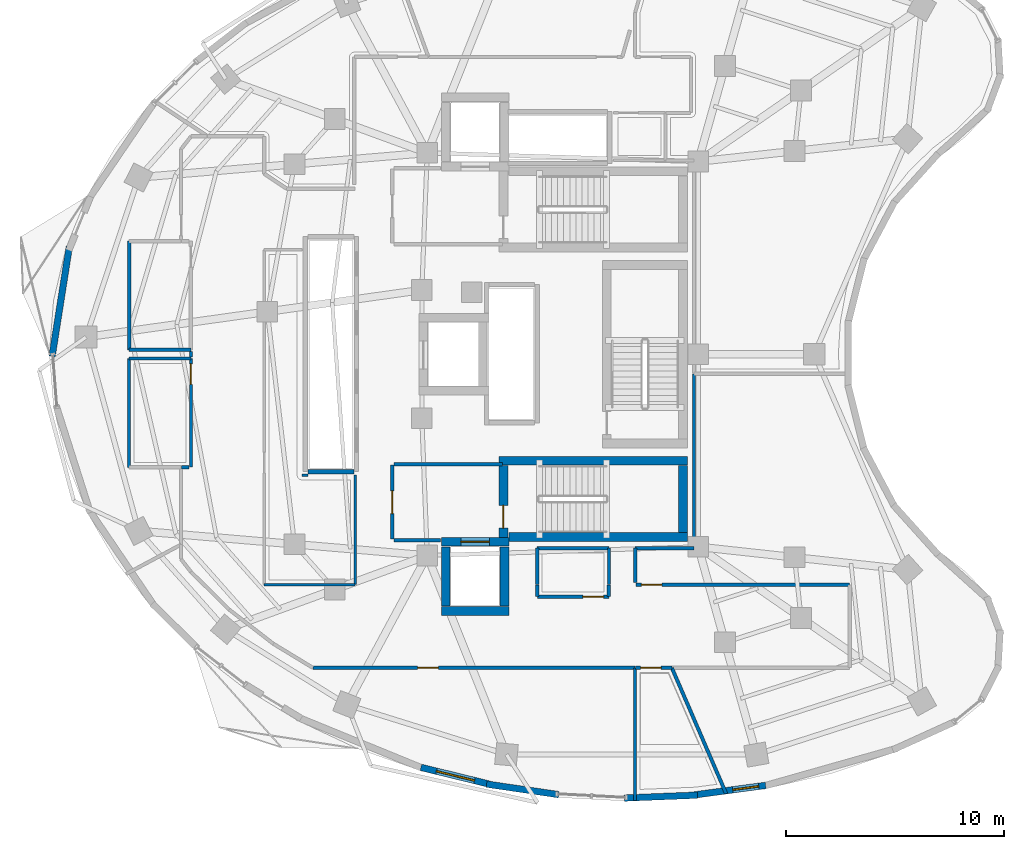
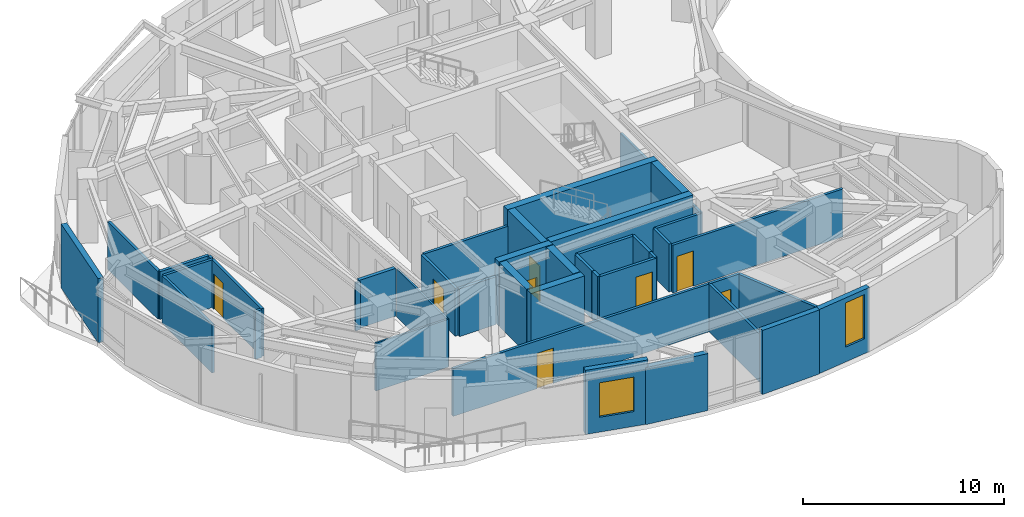
# One storey, part 7 of 13: 41 walls, 8 doors, 2 windows, 10 openings.
"""IFC4 building model written with IfcOpenShell, lengths in metres."""

from ifc_helpers import new_model, si_unit, direction, frame, frame_2d, origin, place, context, subcontext, project, spatial, rectangle, extrude, material, layer, layer_set, type_object, element, fill, save


model = new_model("IFC4")

# Units and contexts
model_context = context("Model", 3, precision=1e-05, world=origin(), true_north=direction((0.0, 1.0)))
body_context = subcontext(model_context, "Body", "Model", "MODEL_VIEW")
ifc_project = project(units=[si_unit("LENGTHUNIT", "METRE"), si_unit("AREAUNIT", "SQUARE_METRE"), si_unit("VOLUMEUNIT", "CUBIC_METRE"), si_unit("PLANEANGLEUNIT", "RADIAN"), si_unit("MASSUNIT", "GRAM", prefix="KILO")], contexts=[model_context])

# Site, building, storey
site_placement = place(None, origin())
site = spatial("IfcSite", under=ifc_project, at=site_placement, CompositionType="ELEMENT")
building_placement = place(site_placement, origin())
building = spatial("IfcBuilding", under=site, at=building_placement, Name="Korentha Bioscience Tower", CompositionType="ELEMENT")
storey_placement = place(building_placement, frame((0.0, 0.0, 171.0)))
storey = spatial("IfcBuildingStorey", under=building, at=storey_placement, Name="L39", CompositionType="ELEMENT", Elevation=171.0)

# Wall, opening, door
ifc_material_1 = material(Name="Double-Stud Acoustic Gypsum", Category="gypsum")
ifc_layer_1 = layer(ifc_material_1, 0.14990234375, Name="Double-Stud Acoustic Gypsum")
ifc_layer_set_1 = layer_set([ifc_layer_1], Name="Double-Stud Acoustic Gypsum (IW-L150)")
wall_type_1 = type_object("IfcWallType", Name="Acoustic Laboratory Partition Wall 150", PredefinedType="PARTITIONING", material=ifc_layer_set_1)
wall_1_placement = place(storey_placement, frame((14.239990234375, 26.800048828125, 0.0), z_axis=(0.0, 0.0, 1.0), x_axis=(0.0, -1.0, 0.0)))
wall_1 = element("IfcWall", 1, at=wall_1_placement, inside=storey, type_object=wall_type_1, Name="L39 Reclaimed Bank-1 Cold Freezer Alcove Entrance Wall", PredefinedType="PARTITIONING", context=body_context, shape_type="SweptSolid", body=[
    extrude(rectangle(XDim=4.989990234375, YDim=0.14990234375, at=frame_2d((2.4951171875, 0.0))), origin(), (0.0, 0.0, 1.0), 2.909912109375),
])
opening_1_placement = place(wall_1_placement, frame((0.239990234375, 0.0, 0.0)))
opening_1 = element("IfcOpeningElement", 2, at=opening_1_placement, cuts=wall_1, Name="Opening ID-10R", PredefinedType="OPENING", context=body_context, shape_type="SweptSolid", body=[
    extrude(rectangle(XDim=0.949951171875, YDim=2.14990234375, at=frame_2d((0.47509765625, 1.074951171875))), frame((0.0, 0.08984375, 0.0), z_axis=(0.0, -1.0, 0.0), x_axis=(1.0, 0.0, 0.0)), (0.0, 0.0, 1.0), 0.1796875),
])
ifc_material_2 = material(Name="Phenolic Laminate Timber Core", Category="wood")
door_type_1 = type_object("IfcDoorType", Name="Laboratory Single Leaf Door 950x2150 Right", OperationType="SINGLE_SWING_RIGHT", PredefinedType="DOOR", material=ifc_material_2)
door_1_placement = place(opening_1_placement, origin())
door_1 = element("IfcDoor", 3, at=door_1_placement, inside=storey, type_object=door_type_1, Name="L39 Reclaimed Bank-1 Cold Freezer Alcove Door", OperationType="SINGLE_SWING_RIGHT", OverallHeight=2.14990234375, OverallWidth=0.949951171875, PredefinedType="DOOR", context=body_context, shape_type="SweptSolid", body=[
    extrude(rectangle(XDim=0.949951171875, YDim=2.14990234375, at=frame_2d((0.47509765625, 1.074951171875))), frame((0.0, 0.02490234375, 0.0), z_axis=(0.0, -1.0, 0.0), x_axis=(1.0, 0.0, 0.0)), (0.0, 0.0, 1.0), 0.050048828125),
])
fill(opening_1, door_1)

wall_2_placement = place(storey_placement, frame((19.849853515625, 12.590087890625, 0.0), z_axis=(0.0, 0.0, 1.0), x_axis=(1.0, 0.0, 0.0)))
wall_2 = element("IfcWall", 4, at=wall_2_placement, inside=storey, type_object=wall_type_1, Name="L39 Staff Pantry Kitchenette 02 Entrance Wall", PredefinedType="PARTITIONING", context=body_context, shape_type="SweptSolid", body=[
    extrude(rectangle(XDim=14.798095703125, YDim=0.14990234375, at=frame_2d((7.39892578125, 0.0))), origin(), (0.0, 0.0, 1.0), 2.909912109375),
])
opening_2_placement = place(wall_2_placement, frame((4.809326171875, 0.0, 0.0)))
opening_2 = element("IfcOpeningElement", 5, at=opening_2_placement, cuts=wall_2, Name="Opening ID-10L", PredefinedType="OPENING", context=body_context, shape_type="SweptSolid", body=[
    extrude(rectangle(XDim=0.949951171875, YDim=2.14990234375, at=frame_2d((0.47509765625, 1.074951171875))), frame((0.0, 0.08984375, 0.0), z_axis=(0.0, -1.0, 0.0), x_axis=(1.0, 0.0, 0.0)), (0.0, 0.0, 1.0), 0.1796875),
])
door_type_2 = type_object("IfcDoorType", Name="Laboratory Single Leaf Door 950x2150 Left", OperationType="SINGLE_SWING_LEFT", PredefinedType="DOOR", material=ifc_material_2)
door_2_placement = place(opening_2_placement, origin())
door_2 = element("IfcDoor", 6, at=door_2_placement, inside=storey, type_object=door_type_2, Name="L39 Staff Pantry Kitchenette 02 Door", OperationType="SINGLE_SWING_LEFT", OverallHeight=2.14990234375, OverallWidth=0.949951171875, PredefinedType="DOOR", context=body_context, shape_type="SweptSolid", body=[
    extrude(rectangle(XDim=0.949951171875, YDim=2.14990234375, at=frame_2d((0.47509765625, 1.074951171875))), frame((0.0, 0.02490234375, 0.0), z_axis=(0.0, -1.0, 0.0), x_axis=(1.0, 0.0, 0.0)), (0.0, 0.0, 1.0), 0.050048828125),
])
fill(opening_2, door_2)

wall_3_placement = place(storey_placement, frame((44.5, 16.409912109375, 0.0), z_axis=(0.0, 0.0, 1.0), x_axis=(-1.0, 0.0, 0.0)))
wall_3 = element("IfcWall", 7, at=wall_3_placement, inside=storey, type_object=wall_type_1, Name="L39 Biomechanical Motion Analysis Lab 04 Entrance Wall", PredefinedType="PARTITIONING", context=body_context, shape_type="SweptSolid", body=[
    extrude(rectangle(XDim=9.806396484375, YDim=0.14990234375, at=frame_2d((4.9033203125, 0.0))), origin(), (0.0, 0.0, 1.0), 2.909912109375),
])
opening_3_placement = place(wall_3_placement, frame((8.616455078125, 0.0, 0.0)))
opening_3 = element("IfcOpeningElement", 8, at=opening_3_placement, cuts=wall_3, Name="Opening ID-10L", PredefinedType="OPENING", context=body_context, shape_type="SweptSolid", body=[
    extrude(rectangle(XDim=0.949951171875, YDim=2.14990234375, at=frame_2d((0.47509765625, 1.074951171875))), frame((0.0, 0.08984375, 0.0), z_axis=(0.0, -1.0, 0.0), x_axis=(1.0, 0.0, 0.0)), (0.0, 0.0, 1.0), 0.1796875),
])
door_3_placement = place(opening_3_placement, origin())
door_3 = element("IfcDoor", 9, at=door_3_placement, inside=storey, type_object=door_type_2, Name="L39 Biomechanical Motion Analysis Lab 04 Door", OperationType="SINGLE_SWING_LEFT", OverallHeight=2.14990234375, OverallWidth=0.949951171875, PredefinedType="DOOR", context=body_context, shape_type="SweptSolid", body=[
    extrude(rectangle(XDim=0.949951171875, YDim=2.14990234375, at=frame_2d((0.47509765625, 1.074951171875))), frame((0.0, 0.02490234375, 0.0), z_axis=(0.0, -1.0, 0.0), x_axis=(1.0, 0.0, 0.0)), (0.0, 0.0, 1.0), 0.050048828125),
])
fill(opening_3, door_3)

# Walls
wall_4_placement = place(storey_placement, frame((14.162109375, 21.81005859375, 0.0), z_axis=(0.0, 0.0, 1.0), x_axis=(-1.0, 0.0, 0.0)))
element("IfcWall", 10, at=wall_4_placement, inside=storey, type_object=wall_type_1, Name="L39 Interior Partition 020", PredefinedType="PARTITIONING", context=body_context, shape_type="SweptSolid", body=[
    extrude(rectangle(XDim=0.362060546875, YDim=0.14990234375, at=frame_2d((0.18115234375, 0.0))), origin(), (0.0, 0.0, 1.0), 2.909912109375),
])
wall_5_placement = place(storey_placement, frame((11.39990234375, 21.800048828125, 0.0), z_axis=(0.0, 0.0, 1.0), x_axis=(0.0, 1.0, 0.0)))
element("IfcWall", 11, at=wall_5_placement, inside=storey, type_object=wall_type_1, Name="L39 Interior Partition 022", PredefinedType="PARTITIONING", context=body_context, shape_type="SweptSolid", body=[
    extrude(rectangle(XDim=5.0, YDim=0.14990234375, at=frame_2d((2.5, 0.0))), origin(), (0.0, 0.0, 1.0), 2.909912109375),
])
wall_6_placement = place(storey_placement, frame((11.39990234375, 26.800048828125, 0.0), z_axis=(0.0, 0.0, 1.0), x_axis=(1.0, 0.0, 0.0)))
element("IfcWall", 12, at=wall_6_placement, inside=storey, type_object=wall_type_1, Name="L39 Interior Partition 023", PredefinedType="PARTITIONING", context=body_context, shape_type="SweptSolid", body=[
    extrude(rectangle(XDim=2.840087890625, YDim=0.14990234375, at=frame_2d((1.419921875, 0.0))), origin(), (0.0, 0.0, 1.0), 2.909912109375),
])
wall_7_placement = place(storey_placement, frame((34.64794921875, 12.590087890625, 0.0), z_axis=(0.0, 0.0, 1.0), x_axis=(0.0, -1.0, 0.0)))
element("IfcWall", 13, at=wall_7_placement, inside=storey, type_object=wall_type_1, Name="L39 Interior Partition 038", PredefinedType="PARTITIONING", context=body_context, shape_type="SweptSolid", body=[
    extrude(rectangle(XDim=6.0849609375, YDim=0.14990234375, at=frame_2d((3.04248046875, 0.0))), origin(), (0.0, 0.0, 1.0), 2.909912109375),
])
wall_8_placement = place(storey_placement, frame((34.652099609375, 16.506103515625, 0.0), z_axis=(0.0, 0.0, 1.0), x_axis=(0.0, 1.0, 0.0)))
element("IfcWall", 14, at=wall_8_placement, inside=storey, type_object=wall_type_1, Name="L39 Interior Partition 042", PredefinedType="PARTITIONING", context=body_context, shape_type="SweptSolid", body=[
    extrude(rectangle(XDim=1.583984375, YDim=0.14990234375, at=frame_2d((0.7919921875, 0.0))), origin(), (0.0, 0.0, 1.0), 2.909912109375),
])
wall_9_placement = place(storey_placement, frame((34.652099609375, 18.090087890625, 0.0), z_axis=(0.0, 0.0, 1.0), x_axis=(1.0, 0.0, 0.0)))
element("IfcWall", 15, at=wall_9_placement, inside=storey, type_object=wall_type_1, Name="L39 Interior Partition 043", PredefinedType="PARTITIONING", context=body_context, shape_type="SweptSolid", body=[
    extrude(rectangle(XDim=2.697998046875, YDim=0.14990234375, at=frame_2d((1.34912109375, 0.0))), origin(), (0.0, 0.0, 1.0), 2.909912109375),
])
wall_10_placement = place(storey_placement, frame((37.360107421875, 18.10009765625, 0.0), z_axis=(0.0, 0.0, 1.0), x_axis=(0.0, 1.0, 0.0)))
element("IfcWall", 16, at=wall_10_placement, inside=storey, type_object=wall_type_1, Name="L39 Interior Partition 044", PredefinedType="PARTITIONING", context=body_context, shape_type="SweptSolid", body=[
    extrude(rectangle(XDim=7.997802734375, YDim=0.14990234375, at=frame_2d((3.9990234375, 0.0))), origin(), (0.0, 0.0, 1.0), 2.909912109375),
])
wall_11_placement = place(storey_placement, frame((14.239990234375, 27.116943359375, 0.0), z_axis=(0.0, 0.0, 1.0), x_axis=(0.0, -1.0, 0.0)))
element("IfcWall", 17, at=wall_11_placement, inside=storey, type_object=wall_type_1, Name="L39 Interior Partition 063", PredefinedType="PARTITIONING", context=body_context, shape_type="SweptSolid", body=[
    extrude(rectangle(XDim=0.239013671875, YDim=0.14990234375, at=frame_2d((0.11962890625, 0.0))), origin(), (0.0, 0.0, 1.0), 2.909912109375),
])
ifc_material_3 = material(Name="Fire-Rated Framed Glass", Category="glass")
ifc_layer_2 = layer(ifc_material_3, 0.110107421875, Name="Fire-Rated Framed Glass")
ifc_layer_set_2 = layer_set([ifc_layer_2], Name="Fire-Rated Framed Glass (IW-G110)")
wall_type_2 = type_object("IfcWallType", Name="Demountable Glazed Office Partition 110", PredefinedType="MOVABLE", material=ifc_layer_set_2)
wall_12_placement = place(storey_placement, frame((19.35009765625, 21.43994140625, 0.0), z_axis=(0.0, 0.0, 1.0), x_axis=(1.0, 0.0, 0.0)))
element("IfcWall", 18, at=wall_12_placement, inside=storey, type_object=wall_type_2, Name="L39 Interior Partition 028", PredefinedType="MOVABLE", context=body_context, shape_type="SweptSolid", body=[
    extrude(rectangle(XDim=0.27001953125, YDim=0.110107421875, at=frame_2d((0.135009765625, 0.0))), origin(), (0.0, 0.0, 1.0), 2.909912109375),
])
wall_13_placement = place(storey_placement, frame((21.7900390625, 21.43994140625, 0.0), z_axis=(0.0, 0.0, 1.0), x_axis=(0.0, -1.0, 0.0)))
element("IfcWall", 19, at=wall_13_placement, inside=storey, type_object=wall_type_2, Name="L39 Interior Partition 029", PredefinedType="MOVABLE", context=body_context, shape_type="SweptSolid", body=[
    extrude(rectangle(XDim=5.030029296875, YDim=0.110107421875, at=frame_2d((2.51513671875, 0.0))), origin(), (0.0, 0.0, 1.0), 2.909912109375),
])
wall_14_placement = place(storey_placement, frame((21.7900390625, 16.409912109375, 0.0), z_axis=(0.0, 0.0, 1.0), x_axis=(-1.0, 0.0, 0.0)))
element("IfcWall", 20, at=wall_14_placement, inside=storey, type_object=wall_type_2, Name="L39 Interior Partition 030", PredefinedType="MOVABLE", context=body_context, shape_type="SweptSolid", body=[
    extrude(rectangle(XDim=4.179931640625, YDim=0.110107421875, at=frame_2d((2.08984375, 0.0))), origin(), (0.0, 0.0, 1.0), 2.909912109375),
])

# Wall, opening, door
ifc_material_4 = material(Name="Gypsum-Clad Steel Stud", Category="steel")
ifc_layer_3 = layer(ifc_material_4, 0.159912109375, Name="Gypsum-Clad Steel Stud")
ifc_layer_set_3 = layer_set([ifc_layer_3], Name="Gypsum-Clad Steel Stud (IW-C160)")
wall_type_3 = type_object("IfcWallType", Name="Fire-Rated Corridor Partition Wall 160", PredefinedType="PARTITIONING", material=ifc_layer_set_3)
wall_15_placement = place(storey_placement, frame((23.5, 18.5, 0.0), z_axis=(0.0, 0.0, 1.0), x_axis=(0.0, 1.0, 0.0)))
wall_15 = element("IfcWall", 21, at=wall_15_placement, inside=storey, type_object=wall_type_3, Name="L39 FFLS-CW Rated Enclosure Wall", PredefinedType="PARTITIONING", context=body_context, shape_type="SweptSolid", body=[
    extrude(rectangle(XDim=3.39990234375, YDim=0.159912109375, at=frame_2d((1.699951171875, 0.0))), origin(), (0.0, 0.0, 1.0), 2.909912109375),
])
opening_4_placement = place(wall_15_placement, frame((1.175048828125, 0.0, 0.0)))
opening_4 = element("IfcOpeningElement", 22, at=opening_4_placement, cuts=wall_15, Name="Opening FD-90R", PredefinedType="OPENING", context=body_context, shape_type="SweptSolid", body=[
    extrude(rectangle(XDim=1.050048828125, YDim=2.14990234375, at=frame_2d((0.52490234375, 1.074951171875))), frame((0.0, 0.0947265625, 0.0), z_axis=(0.0, -1.0, 0.0), x_axis=(1.0, 0.0, 0.0)), (0.0, 0.0, 1.0), 0.189697265625),
])
ifc_material_5 = material(Name="Powder-Coated Fire-Rated Steel", Category="steel")
door_type_3 = type_object("IfcDoorType", Name="Stairwell Fire Exit Door 1050x2150 Right", OperationType="SINGLE_SWING_RIGHT", PredefinedType="DOOR", material=ifc_material_5)
door_4_placement = place(opening_4_placement, origin())
door_4 = element("IfcDoor", 23, at=door_4_placement, inside=storey, type_object=door_type_3, Name="L39 South Firefighting Lobby Door", OperationType="SINGLE_SWING_RIGHT", OverallHeight=2.14990234375, OverallWidth=1.050048828125, PredefinedType="DOOR", context=body_context, shape_type="SweptSolid", body=[
    extrude(rectangle(XDim=1.050048828125, YDim=2.14990234375, at=frame_2d((0.52490234375, 1.074951171875))), frame((0.0, 0.02490234375, 0.0), z_axis=(0.0, -1.0, 0.0), x_axis=(1.0, 0.0, 0.0)), (0.0, 0.0, 1.0), 0.050048828125),
])
fill(opening_4, door_4)

# Walls
wall_16_placement = place(storey_placement, frame((23.580078125, 21.949951171875, 0.0), z_axis=(0.0, 0.0, 1.0), x_axis=(1.0, 0.0, 0.0)))
element("IfcWall", 24, at=wall_16_placement, inside=storey, type_object=wall_type_3, Name="L39 Firefighting Lobby Return Wall FFLS-N", PredefinedType="PARTITIONING", context=body_context, shape_type="SweptSolid", body=[
    extrude(rectangle(XDim=4.969970703125, YDim=0.159912109375, at=frame_2d((2.48486328125, 0.0))), origin(), (0.0, 0.0, 1.0), 2.909912109375),
])
wall_17_placement = place(storey_placement, frame((23.580078125, 18.449951171875, 0.0), z_axis=(0.0, 0.0, 1.0), x_axis=(1.0, 0.0, 0.0)))
element("IfcWall", 25, at=wall_17_placement, inside=storey, type_object=wall_type_3, Name="L39 Firefighting Lobby Return Wall FFLS-S", PredefinedType="PARTITIONING", context=body_context, shape_type="SweptSolid", body=[
    extrude(rectangle(XDim=2.119873046875, YDim=0.159912109375, at=frame_2d((1.06005859375, 0.0))), origin(), (0.0, 0.0, 1.0), 2.909912109375),
])

# Wall, opening, door
wall_18_placement = place(storey_placement, frame((33.43994140625, 15.860107421875, 0.0), z_axis=(0.0, 0.0, 1.0), x_axis=(-1.0, 0.0, 0.0)))
wall_18 = element("IfcWall", 26, at=wall_18_placement, inside=storey, type_object=wall_type_3, Name="L39 Core Instrumentation and Gas Store Entrance Wall", PredefinedType="PARTITIONING", context=body_context, shape_type="SweptSolid", body=[
    extrude(rectangle(XDim=3.280029296875, YDim=0.159912109375, at=frame_2d((1.64013671875, 0.0))), origin(), (0.0, 0.0, 1.0), 2.909912109375),
])
opening_5_placement = place(wall_18_placement, frame((0.239990234375, 0.0, 0.0)))
opening_5 = element("IfcOpeningElement", 27, at=opening_5_placement, cuts=wall_18, Name="Opening ID-10R", PredefinedType="OPENING", context=body_context, shape_type="SweptSolid", body=[
    extrude(rectangle(XDim=0.949951171875, YDim=2.14990234375, at=frame_2d((0.47509765625, 1.074951171875))), frame((0.0, 0.0947265625, 0.0), z_axis=(0.0, -1.0, 0.0), x_axis=(1.0, 0.0, 0.0)), (0.0, 0.0, 1.0), 0.189697265625),
])
door_5_placement = place(opening_5_placement, origin())
door_5 = element("IfcDoor", 28, at=door_5_placement, inside=storey, type_object=door_type_1, Name="L39 Core Instrumentation and Gas Store Door", OperationType="SINGLE_SWING_RIGHT", OverallHeight=2.14990234375, OverallWidth=0.949951171875, PredefinedType="DOOR", context=body_context, shape_type="SweptSolid", body=[
    extrude(rectangle(XDim=0.949951171875, YDim=2.14990234375, at=frame_2d((0.47509765625, 1.074951171875))), frame((0.0, 0.02490234375, 0.0), z_axis=(0.0, -1.0, 0.0), x_axis=(1.0, 0.0, 0.0)), (0.0, 0.0, 1.0), 0.050048828125),
])
fill(opening_5, door_5)

wall_19_placement = place(storey_placement, frame((34.657958984375, 12.590087890625, 0.0), z_axis=(0.0, 0.0, 1.0), x_axis=(1.0, 0.0, 0.0)))
wall_19 = element("IfcWall", 29, at=wall_19_placement, inside=storey, type_object=wall_type_3, Name="L39 Biospecimen Archive Store 03 Entrance Wall", PredefinedType="PARTITIONING", context=body_context, shape_type="SweptSolid", body=[
    extrude(rectangle(XDim=1.679931640625, YDim=0.159912109375, at=frame_2d((0.83984375, 0.0))), origin(), (0.0, 0.0, 1.0), 2.909912109375),
])
opening_6_placement = place(wall_19_placement, frame((0.239990234375, 0.0, 0.0)))
opening_6 = element("IfcOpeningElement", 30, at=opening_6_placement, cuts=wall_19, Name="Opening ID-10R", PredefinedType="OPENING", context=body_context, shape_type="SweptSolid", body=[
    extrude(rectangle(XDim=0.949951171875, YDim=2.14990234375, at=frame_2d((0.47509765625, 1.074951171875))), frame((0.0, 0.0947265625, 0.0), z_axis=(0.0, -1.0, 0.0), x_axis=(1.0, 0.0, 0.0)), (0.0, 0.0, 1.0), 0.189697265625),
])
door_6_placement = place(opening_6_placement, origin())
door_6 = element("IfcDoor", 31, at=door_6_placement, inside=storey, type_object=door_type_1, Name="L39 Biospecimen Archive Store 03 Door", OperationType="SINGLE_SWING_RIGHT", OverallHeight=2.14990234375, OverallWidth=0.949951171875, PredefinedType="DOOR", context=body_context, shape_type="SweptSolid", body=[
    extrude(rectangle(XDim=0.949951171875, YDim=2.14990234375, at=frame_2d((0.47509765625, 1.074951171875))), frame((0.0, 0.02490234375, 0.0), z_axis=(0.0, -1.0, 0.0), x_axis=(1.0, 0.0, 0.0)), (0.0, 0.0, 1.0), 0.050048828125),
])
fill(opening_6, door_6)

# Walls
for number, where, z_axis, x_axis, name in (
    (32, (33.43994140625, 16.39990234375, 0.0), (0.0, 0.0, 1.0), (0.0, -1.0, 0.0), "L39 Interior Partition 013"),
    (33, (30.159912109375, 15.860107421875, 0.0), (0.0, 0.0, 1.0), (0.0, 1.0, 0.0), "L39 Interior Partition 014"),
):
    element("IfcWall", number, at=place(storey_placement, frame(where, z_axis=z_axis, x_axis=x_axis)), inside=storey, type_object=wall_type_3, Name=name, PredefinedType="PARTITIONING", context=body_context, shape_type="SweptSolid", body=[
        extrude(rectangle(XDim=0.539794921875, YDim=0.159912109375, at=frame_2d((0.27001953125, 0.0))), origin(), (0.0, 0.0, 1.0), 2.909912109375),
    ])
wall_20_placement = place(storey_placement, frame((30.14990234375, 16.409912109375, 0.0), z_axis=(0.0, 0.0, 1.0), x_axis=(0.0, 1.0, 0.0)))
element("IfcWall", 34, at=wall_20_placement, inside=storey, type_object=wall_type_3, Name="L39 Interior Partition 015", PredefinedType="PARTITIONING", context=body_context, shape_type="SweptSolid", body=[
    extrude(rectangle(XDim=1.68017578125, YDim=0.159912109375, at=frame_2d((0.840087890625, 0.0))), origin(), (0.0, 0.0, 1.0), 2.909912109375),
])
wall_21_placement = place(storey_placement, frame((30.14990234375, 18.090087890625, 0.0), z_axis=(0.0, 0.0, 1.0), x_axis=(1.0, 0.0, 0.0)))
element("IfcWall", 35, at=wall_21_placement, inside=storey, type_object=wall_type_3, Name="L39 Interior Partition 016", PredefinedType="PARTITIONING", context=body_context, shape_type="SweptSolid", body=[
    extrude(rectangle(XDim=3.300048828125, YDim=0.159912109375, at=frame_2d((1.64990234375, 0.0))), origin(), (0.0, 0.0, 1.0), 2.909912109375),
])
wall_22_placement = place(storey_placement, frame((33.449951171875, 18.090087890625, 0.0), z_axis=(0.0, 0.0, 1.0), x_axis=(0.0, -1.0, 0.0)))
element("IfcWall", 36, at=wall_22_placement, inside=storey, type_object=wall_type_3, Name="L39 Interior Partition 017", PredefinedType="PARTITIONING", context=body_context, shape_type="SweptSolid", body=[
    extrude(rectangle(XDim=1.68017578125, YDim=0.159912109375, at=frame_2d((0.840087890625, 0.0))), origin(), (0.0, 0.0, 1.0), 2.909912109375),
])
wall_23_placement = place(storey_placement, frame((14.239990234375, 27.199951171875, 0.0), z_axis=(0.0, 0.0, 1.0), x_axis=(-1.0, 0.0, 0.0)))
element("IfcWall", 37, at=wall_23_placement, inside=storey, type_object=wall_type_3, Name="L39 Interior Partition 025", PredefinedType="PARTITIONING", context=body_context, shape_type="SweptSolid", body=[
    extrude(rectangle(XDim=2.840087890625, YDim=0.159912109375, at=frame_2d((1.419921875, 0.0))), origin(), (0.0, 0.0, 1.0), 2.909912109375),
])
wall_24_placement = place(storey_placement, frame((11.39990234375, 27.199951171875, 0.0), z_axis=(0.0, 0.0, 1.0), x_axis=(0.0, 1.0, 0.0)))
element("IfcWall", 38, at=wall_24_placement, inside=storey, type_object=wall_type_3, Name="L39 Interior Partition 026", PredefinedType="PARTITIONING", context=body_context, shape_type="SweptSolid", body=[
    extrude(rectangle(XDim=5.0, YDim=0.159912109375, at=frame_2d((2.5, 0.0))), origin(), (0.0, 0.0, 1.0), 2.909912109375),
])
wall_25_placement = place(storey_placement, frame((36.337890625, 12.590087890625, 0.0), z_axis=(0.0, 0.0, 1.0), x_axis=(0.396278424629, -0.918130388438, 0.0)))
element("IfcWall", 39, at=wall_25_placement, inside=storey, type_object=wall_type_3, Name="L39 Interior Partition 039", PredefinedType="PARTITIONING", context=body_context, shape_type="SweptSolid", body=[
    extrude(rectangle(XDim=6.29150390625, YDim=0.159912109375, at=frame_2d((3.145751953125, 0.0))), origin(), (0.0, 0.0, 1.0), 2.909912109375),
])

# Wall, opening, window
ifc_material_6 = material(Name="Honed Limestone Precast Concrete C40", Category="masonry")
ifc_layer_4 = layer(ifc_material_6, 0.300048828125, Name="Honed Limestone Precast Concrete C40")
ifc_layer_set_4 = layer_set([ifc_layer_4], Name="Honed Limestone Precast Concrete C40 (EW-ST300)")
wall_type_4 = type_object("IfcWallType", Name="Honed Limestone Cavity Spandrel Wall 300", PredefinedType="STANDARD", material=ifc_layer_set_4)
wall_26_placement = place(storey_placement, frame((24.806640625, 8.015625, 0.0), z_axis=(0.0, 0.0, 1.0), x_axis=(0.971312804689, -0.237805457142, 0.0)))
wall_26 = element("IfcWall", 40, at=wall_26_placement, inside=storey, type_object=wall_type_4, Name="L39 Honed Limestone Spandrel Wall 29", PredefinedType="STANDARD", context=body_context, shape_type="SweptSolid", body=[
    extrude(rectangle(XDim=3.268798828125, YDim=0.300048828125, at=frame_2d((1.63427734375, 0.0))), origin(), (0.0, 0.0, 1.0), 3.89990234375),
])
opening_7_placement = place(wall_26_placement, frame((0.734375, 0.0, 0.89990234375)))
opening_7 = element("IfcOpeningElement", 41, at=opening_7_placement, cuts=wall_26, Name="Opening WN-01", PredefinedType="OPENING", context=body_context, shape_type="SweptSolid", body=[
    extrude(rectangle(XDim=1.800048828125, YDim=2.10009765625, at=frame_2d((0.89990234375, 1.050048828125))), frame((0.0, 0.1650390625, 0.0), z_axis=(0.0, -1.0, 0.0), x_axis=(1.0, 0.0, 0.0)), (0.0, 0.0, 1.0), 0.329833984375),
])
ifc_material_7 = material(Name="Thermally Broken Aluminium Triple Glazing", Category="aluminium")
window_type_1 = type_object("IfcWindowType", Name="Triple-Glazed Fixed Bioscience Window 1800x2100", PartitioningType="SINGLE_PANEL", PredefinedType="WINDOW", material=ifc_material_7)
window_1_placement = place(opening_7_placement, origin())
window_1 = element("IfcWindow", 42, at=window_1_placement, inside=storey, type_object=window_type_1, Name="L39 Facade Window 29", OverallHeight=2.10009765625, OverallWidth=1.800048828125, PartitioningType="SINGLE_PANEL", PredefinedType="WINDOW", context=body_context, shape_type="SweptSolid", body=[
    extrude(rectangle(XDim=1.800048828125, YDim=2.10009765625, at=frame_2d((0.89990234375, 1.050048828125))), frame((0.0, 0.030029296875, 0.0), z_axis=(0.0, -1.0, 0.0), x_axis=(1.0, 0.0, 0.0)), (0.0, 0.0, 1.0), 0.06005859375),
])
fill(opening_7, window_1)

wall_27_placement = place(storey_placement, frame((37.365478515625, 6.748291015625, 0.0), z_axis=(0.0, 0.0, 1.0), x_axis=(0.991139436205, 0.132825517122, 0.0)))
wall_27 = element("IfcWall", 43, at=wall_27_placement, inside=storey, type_object=wall_type_4, Name="L39 Honed Limestone Spandrel Wall 33", PredefinedType="STANDARD", context=body_context, shape_type="SweptSolid", body=[
    extrude(rectangle(XDim=3.310302734375, YDim=0.300048828125, at=frame_2d((1.6552734375, 0.0))), origin(), (0.0, 0.0, 1.0), 3.89990234375),
])
opening_8_placement = place(wall_27_placement, frame((1.78857421875, 0.0, 0.89990234375)))
opening_8 = element("IfcOpeningElement", 44, at=opening_8_placement, cuts=wall_27, Name="Opening WN-03", PredefinedType="OPENING", context=body_context, shape_type="SweptSolid", body=[
    extrude(rectangle(XDim=1.199951171875, YDim=2.699951171875, at=frame_2d((0.60009765625, 1.35009765625))), frame((0.0, 0.1650390625, 0.0), z_axis=(0.0, -1.0, 0.0), x_axis=(1.0, 0.0, 0.0)), (0.0, 0.0, 1.0), 0.329833984375),
])
window_type_2 = type_object("IfcWindowType", Name="Theatre Foyer Tall Ribbon Window 1200x2700", PartitioningType="SINGLE_PANEL", PredefinedType="WINDOW", material=ifc_material_7)
window_2_placement = place(opening_8_placement, origin())
window_2 = element("IfcWindow", 45, at=window_2_placement, inside=storey, type_object=window_type_2, Name="L39 Facade Window 33", OverallHeight=2.699951171875, OverallWidth=1.199951171875, PartitioningType="SINGLE_PANEL", PredefinedType="WINDOW", context=body_context, shape_type="SweptSolid", body=[
    extrude(rectangle(XDim=1.199951171875, YDim=2.699951171875, at=frame_2d((0.60009765625, 1.35009765625))), frame((0.0, 0.030029296875, 0.0), z_axis=(0.0, -1.0, 0.0), x_axis=(1.0, 0.0, 0.0)), (0.0, 0.0, 1.0), 0.06005859375),
])
fill(opening_8, window_2)

# Walls
wall_28_placement = place(storey_placement, frame((8.6552734375, 31.947021484375, 0.0), z_axis=(0.0, 0.0, 1.0), x_axis=(-0.155280464429, -0.987870425393, 0.0)))
element("IfcWall", 46, at=wall_28_placement, inside=storey, type_object=wall_type_4, Name="L39 Limestone Perimeter Closure Wall 17", PredefinedType="STANDARD", context=body_context, shape_type="SweptSolid", body=[
    extrude(rectangle(XDim=5.10986328125, YDim=0.300048828125, at=frame_2d((2.554931640625, 0.0))), origin(), (0.0, 0.0, 1.0), 3.89990234375),
])
wall_29_placement = place(storey_placement, frame((27.826416015625, 7.247314453125, 0.0), z_axis=(0.0, 0.0, 1.0), x_axis=(0.98945927954, -0.144811374319, 0.0)))
element("IfcWall", 47, at=wall_29_placement, inside=storey, type_object=wall_type_4, Name="L39 Limestone Perimeter Closure Wall 30", PredefinedType="STANDARD", context=body_context, shape_type="SweptSolid", body=[
    extrude(rectangle(XDim=3.346435546875, YDim=0.300048828125, at=frame_2d((1.67333984375, 0.0))), origin(), (0.0, 0.0, 1.0), 3.469970703125),
])
wall_30_placement = place(storey_placement, frame((34.1552734375, 6.605224609375, 0.0), z_axis=(0.0, 0.0, 1.0), x_axis=(0.999190386434, 0.040231475948, 0.0)))
element("IfcWall", 48, at=wall_30_placement, inside=storey, type_object=wall_type_4, Name="L39 Limestone Perimeter Closure Wall 32", PredefinedType="STANDARD", context=body_context, shape_type="SweptSolid", body=[
    extrude(rectangle(XDim=3.367919921875, YDim=0.300048828125, at=frame_2d((1.68408203125, 0.0))), origin(), (0.0, 0.0, 1.0), 3.89990234375),
])
ifc_material_8 = material(Name="Autoclaved Aerated Concrete Block C25", Category="concrete")
ifc_layer_5 = layer(ifc_material_8, 0.199951171875, Name="Autoclaved Aerated Concrete Block C25")
ifc_layer_set_5 = layer_set([ifc_layer_5], Name="Autoclaved Aerated Concrete Block C25 (IW-S200)")
wall_type_5 = type_object("IfcWallType", Name="Lift and Riser Shaft Enclosure Wall 200", PredefinedType="PARTITIONING", material=ifc_layer_set_5)
wall_31_placement = place(storey_placement, frame((19.6201171875, 21.60009765625, 0.0), z_axis=(0.0, 0.0, 1.0), x_axis=(1.0, 0.0, 0.0)))
element("IfcWall", 49, at=wall_31_placement, inside=storey, type_object=wall_type_5, Name="L39 Lift Bank MID Shaft Wall -Y", PredefinedType="PARTITIONING", context=body_context, shape_type="SweptSolid", body=[
    extrude(rectangle(XDim=2.10986328125, YDim=0.199951171875, at=frame_2d((1.054931640625, 0.0))), origin(), (0.0, 0.0, 1.0), 2.909912109375),
])
ifc_material_9 = material(Name="Concrete C65", Category="concrete")
ifc_layer_6 = layer(ifc_material_9, 0.39990234375, Name="Concrete C65")
ifc_layer_set_6 = layer_set([ifc_layer_6], Name="Concrete C65 (CW-C65)")
wall_type_6 = type_object("IfcWallType", Name="Mid-Rise Core Shear Wall 400", PredefinedType="SHEAR", material=ifc_layer_set_6)
wall_32_placement = place(storey_placement, frame((28.85205078125, 18.60009765625, 0.0), z_axis=(0.0, 0.0, 1.0), x_axis=(1.0, 0.0, 0.0)))
element("IfcWall", 50, at=wall_32_placement, inside=storey, type_object=wall_type_6, Name="L39 Core Shear Wall ST2-S", PredefinedType="SHEAR", context=body_context, shape_type="SweptSolid", body=[
    extrude(rectangle(XDim=8.197998046875, YDim=0.39990234375, at=frame_2d((4.09912109375, 0.0))), origin(), (0.0, 0.0, 1.0), 3.89990234375),
])
wall_33_placement = place(storey_placement, frame((28.39990234375, 22.10009765625, 0.0), z_axis=(0.0, 0.0, 1.0), x_axis=(1.0, 0.0, 0.0)))
element("IfcWall", 51, at=wall_33_placement, inside=storey, type_object=wall_type_6, Name="L39 Core Shear Wall ST2-N", PredefinedType="SHEAR", context=body_context, shape_type="SweptSolid", body=[
    extrude(rectangle(XDim=8.650146484375, YDim=0.39990234375, at=frame_2d((4.3251953125, 0.0))), origin(), (0.0, 0.0, 1.0), 3.89990234375),
])
wall_34_placement = place(storey_placement, frame((36.85009765625, 18.81005859375, 0.0), z_axis=(0.0, 0.0, 1.0), x_axis=(0.0, 1.0, 0.0)))
element("IfcWall", 52, at=wall_34_placement, inside=storey, type_object=wall_type_6, Name="L39 Core Shear Wall ST2-E", PredefinedType="SHEAR", context=body_context, shape_type="SweptSolid", body=[
    extrude(rectangle(XDim=3.079833984375, YDim=0.39990234375, at=frame_2d((1.5400390625, 0.0))), origin(), (0.0, 0.0, 1.0), 3.89990234375),
])

# Wall, opening, door
wall_35_placement = place(storey_placement, frame((28.60009765625, 18.58203125, 0.0), z_axis=(0.0, 0.0, 1.0), x_axis=(0.0, 1.0, 0.0)))
wall_35 = element("IfcWall", 53, at=wall_35_placement, inside=storey, type_object=wall_type_6, Name="L39 Core Shear Wall ST2-W", PredefinedType="SHEAR", context=body_context, shape_type="SweptSolid", body=[
    extrude(rectangle(XDim=3.307861328125, YDim=0.39990234375, at=frame_2d((1.65380859375, 0.0))), origin(), (0.0, 0.0, 1.0), 3.89990234375),
])
opening_9_placement = place(wall_35_placement, frame((0.427978515625, 0.0, 0.0)))
opening_9 = element("IfcOpeningElement", 54, at=opening_9_placement, cuts=wall_35, Name="Opening FD-90R", PredefinedType="OPENING", context=body_context, shape_type="SweptSolid", body=[
    extrude(rectangle(XDim=1.050048828125, YDim=2.14990234375, at=frame_2d((0.52490234375, 1.074951171875))), frame((0.0, 0.21484375, 0.0), z_axis=(0.0, -1.0, 0.0), x_axis=(1.0, 0.0, 0.0)), (0.0, 0.0, 1.0), 0.4296875),
])
door_7_placement = place(opening_9_placement, origin())
door_7 = element("IfcDoor", 55, at=door_7_placement, inside=storey, type_object=door_type_3, Name="L39 ST-2 Fire Exit Stair Door", OperationType="SINGLE_SWING_RIGHT", OverallHeight=2.14990234375, OverallWidth=1.050048828125, PredefinedType="DOOR", context=body_context, shape_type="SweptSolid", body=[
    extrude(rectangle(XDim=1.050048828125, YDim=2.14990234375, at=frame_2d((0.52490234375, 1.074951171875))), frame((0.0, 0.02490234375, 0.0), z_axis=(0.0, -1.0, 0.0), x_axis=(1.0, 0.0, 0.0)), (0.0, 0.0, 1.0), 0.050048828125),
])
fill(opening_9, door_7)

# Wall
wall_36_placement = place(storey_placement, frame((25.75, 15.199951171875, 0.0), z_axis=(0.0, 0.0, 1.0), x_axis=(1.0, 0.0, 0.0)))
element("IfcWall", 56, at=wall_36_placement, inside=storey, type_object=wall_type_6, Name="L39 Core Shear Wall FFL1-S", PredefinedType="SHEAR", context=body_context, shape_type="SweptSolid", body=[
    extrude(rectangle(XDim=3.10009765625, YDim=0.39990234375, at=frame_2d((1.550048828125, 0.0))), origin(), (0.0, 0.0, 1.0), 3.89990234375),
])

# Wall, opening, door
wall_37_placement = place(storey_placement, frame((25.75, 18.3798828125, 0.0), z_axis=(0.0, 0.0, 1.0), x_axis=(1.0, 0.0, 0.0)))
wall_37 = element("IfcWall", 57, at=wall_37_placement, inside=storey, type_object=wall_type_6, Name="L39 Core Shear Wall FFL1-N", PredefinedType="SHEAR", context=body_context, shape_type="SweptSolid", body=[
    extrude(rectangle(XDim=3.10009765625, YDim=0.39990234375, at=frame_2d((1.550048828125, 0.0))), origin(), (0.0, 0.0, 1.0), 3.89990234375),
])
opening_10_placement = place(wall_37_placement, frame((0.89990234375, 0.0, 0.0)))
opening_10 = element("IfcOpeningElement", 58, at=opening_10_placement, cuts=wall_37, Name="Opening LD-13", PredefinedType="OPENING", context=body_context, shape_type="SweptSolid", body=[
    extrude(rectangle(XDim=1.300048828125, YDim=2.199951171875, at=frame_2d((0.64990234375, 1.10009765625))), frame((0.0, 0.21484375, 0.0), z_axis=(0.0, -1.0, 0.0), x_axis=(1.0, 0.0, 0.0)), (0.0, 0.0, 1.0), 0.4296875),
])
ifc_material_10 = material(Name="Brushed Stainless Steel 316", Category="steel")
door_type_4 = type_object("IfcDoorType", Name="Service & Firefighting Lift Landing Door 1300x2300", OperationType="DOUBLE_DOOR_SLIDING", PredefinedType="DOOR", material=ifc_material_10)
door_8_placement = place(opening_10_placement, origin())
door_8 = element("IfcDoor", 59, at=door_8_placement, inside=storey, type_object=door_type_4, Name="L39 FFL-1 Sliding Lift Landing Door", OperationType="DOUBLE_DOOR_SLIDING", OverallHeight=2.199951171875, OverallWidth=1.300048828125, PredefinedType="DOOR", context=body_context, shape_type="SweptSolid", body=[
    extrude(rectangle(XDim=1.300048828125, YDim=2.199951171875, at=frame_2d((0.64990234375, 1.10009765625))), frame((0.0, 0.02490234375, 0.0), z_axis=(0.0, -1.0, 0.0), x_axis=(1.0, 0.0, 0.0)), (0.0, 0.0, 1.0), 0.050048828125),
])
fill(opening_10, door_8)

# Walls
for number, where, z_axis, x_axis, name in (
    (60, (25.949951171875, 15.43994140625, 0.0), (0.0, 0.0, 1.0), (0.0, 1.0, 0.0), "L39 Core Shear Wall FFL1-W"),
    (61, (28.64990234375, 15.43994140625, 0.0), (0.0, 0.0, 1.0), (0.0, 1.0, 0.0), "L39 Core Shear Wall FFL1-E"),
):
    element("IfcWall", number, at=place(storey_placement, frame(where, z_axis=z_axis, x_axis=x_axis)), inside=storey, type_object=wall_type_6, Name=name, PredefinedType="SHEAR", context=body_context, shape_type="SweptSolid", body=[
        extrude(rectangle(XDim=2.699951171875, YDim=0.39990234375, at=frame_2d((1.35009765625, 0.0))), origin(), (0.0, 0.0, 1.0), 3.89990234375),
    ])

save(model, "model.ifc")
